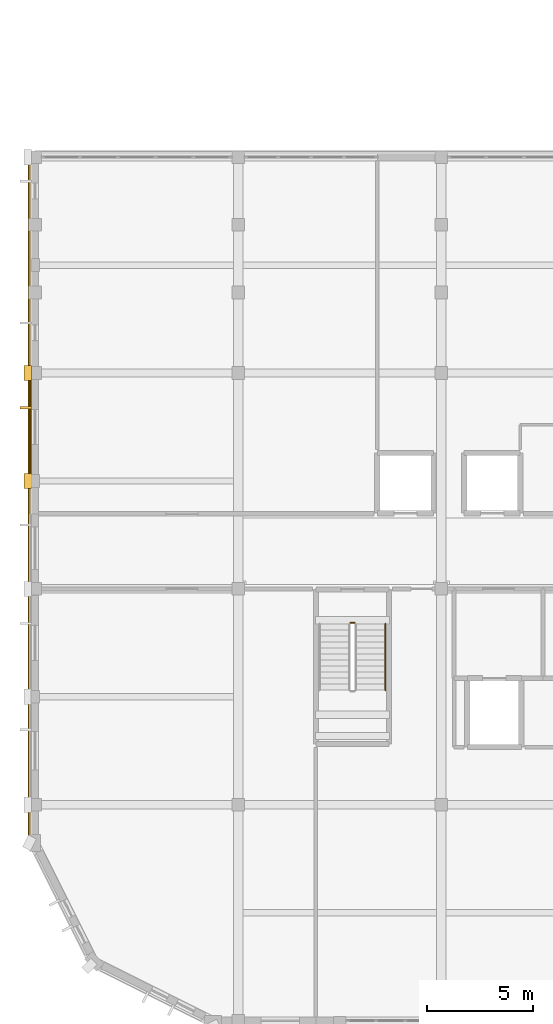
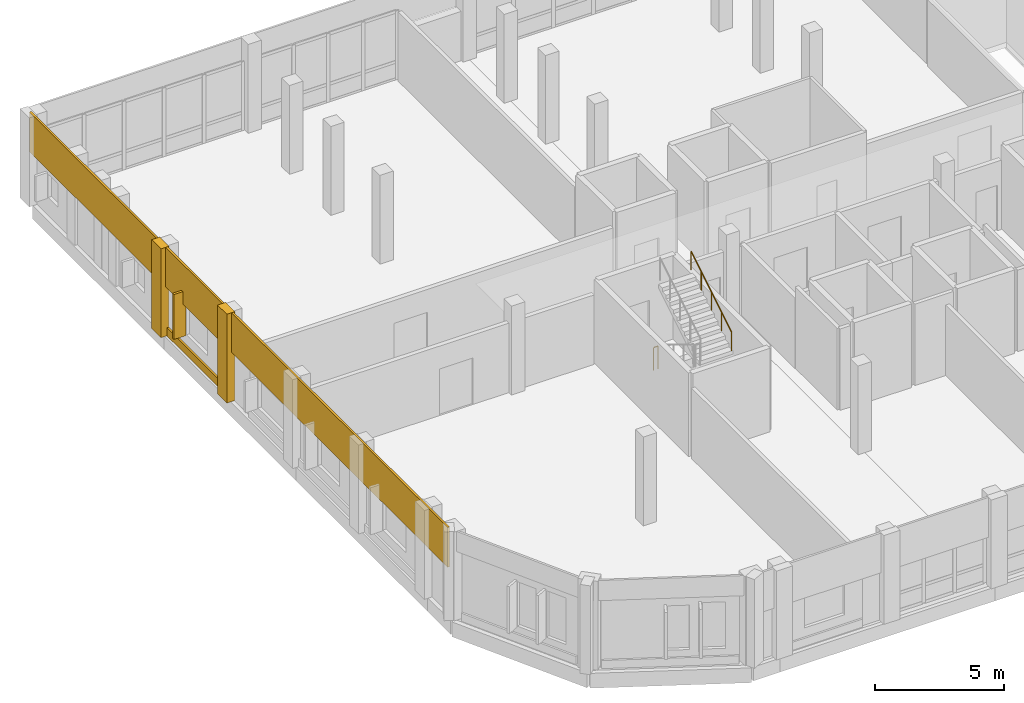
# One storey, part 88 of 93: 4 coverings, 2 railings, 1 shading device.
"""IFC4 building model written with IfcOpenShell, lengths in metres."""

from ifc_helpers import new_model, si_unit, direction, frame, origin, origin_2d, place, context, subcontext, project, spatial, rectangle, circle, extrude, material, layer, layer_set, type_object, element, save


model = new_model("IFC4")

# Units and contexts
model_context = context("Model", 3, precision=1e-05, world=origin(), true_north=direction((0.0, 1.0)))
body_context = subcontext(model_context, "Body", "Model", "MODEL_VIEW")
ifc_project = project(units=[si_unit("LENGTHUNIT", "METRE"), si_unit("AREAUNIT", "SQUARE_METRE"), si_unit("VOLUMEUNIT", "CUBIC_METRE"), si_unit("PLANEANGLEUNIT", "RADIAN"), si_unit("MASSUNIT", "GRAM", prefix="KILO")], contexts=[model_context])

# Site, building, storey
site_placement = place(None, origin())
site = spatial("IfcSite", under=ifc_project, at=site_placement, CompositionType="ELEMENT")
building_placement = place(site_placement, origin())
building = spatial("IfcBuilding", under=site, at=building_placement, Name="Vondelvale Polytechnic", CompositionType="ELEMENT")
storey_placement = place(building_placement, frame((0.0, 0.0, 18.0)))
storey = spatial("IfcBuildingStorey", under=building, at=storey_placement, Name="L04", CompositionType="ELEMENT", Elevation=18.0)

# Coverings
ifc_material_1 = material(Name="Amsterdam School iron-spot clinker clay brickwork", Category="masonry")
ifc_layer_1 = layer(ifc_material_1, 0.090087890625)
ifc_layer_set_1 = layer_set([ifc_layer_1], Name="COV-BRICK-RELIEF")
covering_type = type_object("IfcCoveringType", Name="COV-BRICK-RELIEF", PredefinedType="CLADDING", material=ifc_layer_set_1)
covering_1_placement = place(storey_placement, frame((-0.264892578125, 24.60009765625, 2.320068359375), z_axis=(0.0, 0.0, 1.0), x_axis=(0.0, 1.0, 0.0)))
element("IfcCovering", 1, at=covering_1_placement, inside=storey, type_object=covering_type, Name="L04 exterior masonry spandrel band", PredefinedType="CLADDING", context=body_context, shape_type="SweptSolid", body=[
    extrude(rectangle(XDim=32.39990234375, YDim=0.090087890625, at=origin_2d()), origin(), (0.0, 0.0, 1.0), 1.8798828125),
])
covering_2_placement = place(storey_placement, frame((-0.216064453125, 28.050048828125, 0.0), z_axis=(0.0, 0.0, 1.0), x_axis=(0.0, 1.0, 0.0)))
element("IfcCovering", 2, at=covering_2_placement, inside=storey, type_object=covering_type, Name="L04 exterior corbelled masonry relief band", PredefinedType="CLADDING", context=body_context, shape_type="SweptSolid", body=[
    extrude(rectangle(XDim=4.43798828125, YDim=0.090087890625, at=origin_2d()), origin(), (0.0, 0.0, 1.0), 0.3798828125),
])
for number, where, z_axis, x_axis, name in (
    (3, (-0.340087890625, 25.5, 0.0), (0.0, 0.0, 1.0), (1.0, 0.0, 0.0), "L04 Classical street pilaster"),
    (4, (-0.340087890625, 30.60009765625, 0.0), (0.0, 0.0, 1.0), (1.0, 0.0, 0.0), "L04 Classical street pilaster"),
):
    element("IfcCovering", number, at=place(storey_placement, frame(where, z_axis=z_axis, x_axis=x_axis)), inside=storey, type_object=covering_type, Name=name, PredefinedType="CLADDING", context=body_context, shape_type="SweptSolid", body=[
        extrude(rectangle(XDim=0.360107421875, YDim=0.719970703125, at=origin_2d()), origin(), (0.0, 0.0, 1.0), 4.199951171875),
    ])

# Railings
ifc_material_2 = material(Name="Brushed architectural stainless and zinc-coated metal")
ifc_layer_2 = layer(ifc_material_2, 0.050048828125)
ifc_layer_set_2 = layer_set([ifc_layer_2], Name="RL-STAIR-GUARD")
railing_type_1 = type_object("IfcRailingType", Name="RL-STAIR-GUARD", PredefinedType="GUARDRAIL", material=ifc_layer_set_2)
railing_1_placement = place(storey_placement, frame((14.89990234375, 18.800048828125, 0.0)))
element("IfcRailing", 5, at=railing_1_placement, inside=storey, type_object=railing_type_1, Name="L04 ST-03 stair guard 4", PredefinedType="GUARDRAIL", context=body_context, shape_type="SweptSolid", body=[
    extrude(circle(Radius=0.02392578125, at=origin_2d()), frame((0.0, 0.0, 1.076171875), z_axis=(1.0, 0.0, 0.0), x_axis=(0.0, 1.0, 0.0)), (0.0, 0.0, 1.0), 0.2001953125),
    extrude(circle(Radius=0.02099609375, at=origin_2d()), origin(), (0.0, 0.0, 1.0), 1.052001953125),
    extrude(circle(Radius=0.02099609375, at=origin_2d()), frame((0.2001953125, 0.0, 0.0)), (0.0, 0.0, 1.0), 1.052001953125),
])
ifc_layer_3 = layer(ifc_material_2, 0.048095703125)
ifc_layer_set_3 = layer_set([ifc_layer_3], Name="RL-STAIR-HANDRAIL")
railing_type_2 = type_object("IfcRailingType", Name="RL-STAIR-HANDRAIL", PredefinedType="HANDRAIL", material=ifc_layer_set_3)
railing_2_placement = place(storey_placement, frame((16.550048828125, 15.614990234375, 2.27490234375)))
element("IfcRailing", 6, at=railing_2_placement, inside=storey, type_object=railing_type_2, Name="L04 ST-03 stair handrail 2", PredefinedType="HANDRAIL", context=body_context, shape_type="SweptSolid", body=[
    extrude(circle(Radius=0.02392578125, at=origin_2d()), frame((0.0, 0.0, 0.8759765625), z_axis=(0.0, 0.852166034122, 0.523271488128), x_axis=(-1.0, 0.0, 0.0)), (0.0, 0.0, 1.0), 3.678955078125),
    extrude(circle(Radius=0.02099609375, at=origin_2d()), origin(), (0.0, 0.0, 1.0), 0.851806640625),
    extrude(circle(Radius=0.02099609375, at=origin_2d()), frame((0.0, 0.78369140625, 0.481201171875)), (0.0, 0.0, 1.0), 0.851806640625),
    extrude(circle(Radius=0.02099609375, at=origin_2d()), frame((0.0, 1.5673828125, 0.96240234375)), (0.0, 0.0, 1.0), 0.851806640625),
    extrude(circle(Radius=0.02099609375, at=origin_2d()), frame((0.0, 2.351318359375, 1.44384765625)), (0.0, 0.0, 1.0), 0.851806640625),
    extrude(circle(Radius=0.02099609375, at=origin_2d()), frame((0.0, 3.135009765625, 1.925048828125)), (0.0, 0.0, 1.0), 0.851806640625),
])

# Shading device
ifc_material_3 = material(Name="Kiln-fired architectural terracotta", Category="masonry")
shading_device_type = type_object("IfcShadingDeviceType", Name="SHD-TERRA-FIN-550", PredefinedType="JALOUSIE", material=ifc_material_3)
shading_device_placement = place(storey_placement, frame((-0.43505859375, 28.965087890625, 0.7900390625), z_axis=(0.0, 0.0, 1.0), x_axis=(0.0, 1.0, 0.0)))
element("IfcShadingDevice", 7, at=shading_device_placement, inside=storey, type_object=shading_device_type, Name="L04 vertical terracotta solar fin", PredefinedType="JALOUSIE", context=body_context, shape_type="SweptSolid", body=[
    extrude(rectangle(XDim=0.110107421875, YDim=0.550048828125, at=origin_2d()), origin(), (0.0, 0.0, 1.0), 2.1201171875),
])

save(model, "model.ifc")
